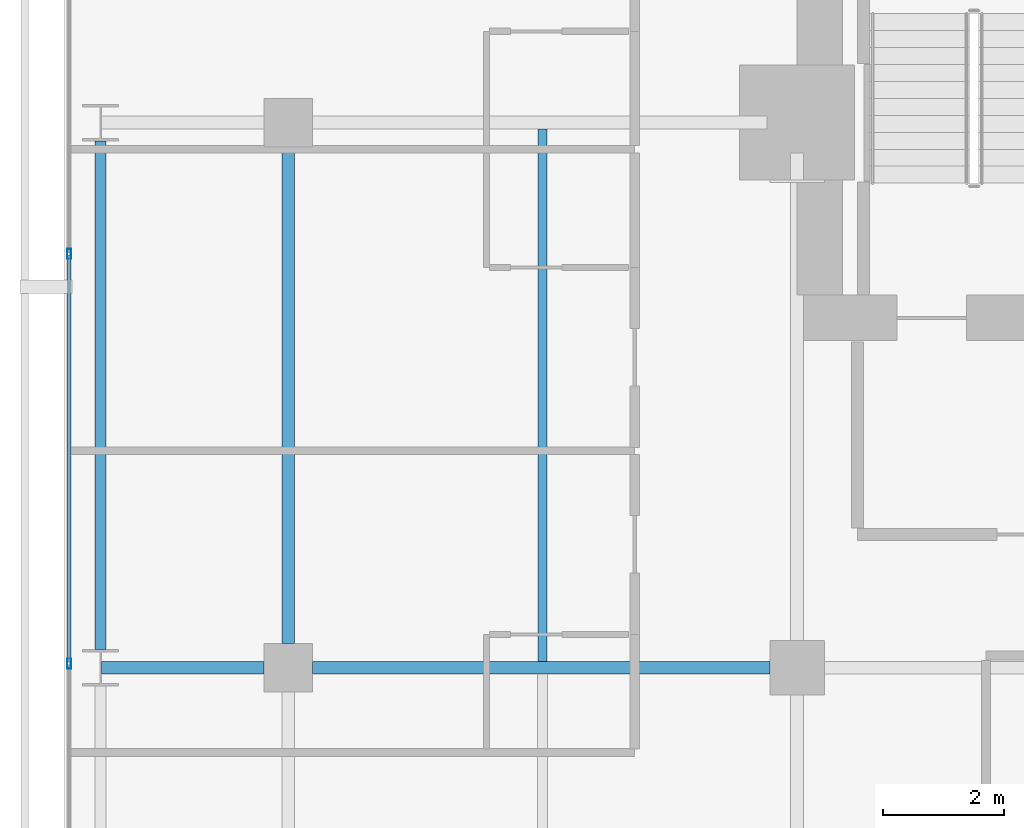
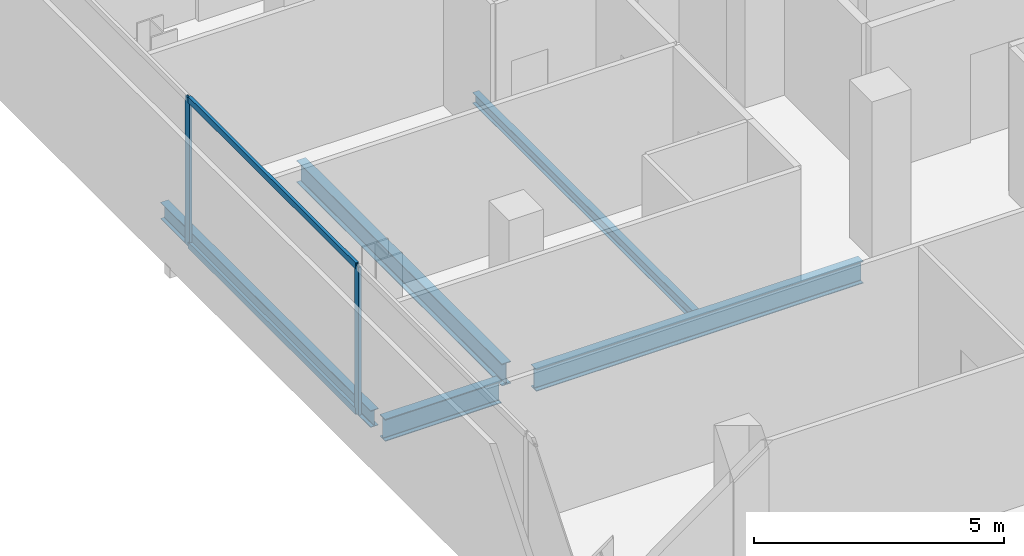
# One storey, part 18 of 34: 5 beams, 4 members, 1 element without a shape of its own.
"""IFC4 building model written with IfcOpenShell, lengths in metres."""

from ifc_helpers import new_model, si_unit, direction, frame, origin, origin_2d, place, context, subcontext, project, spatial, hollow_rectangle, i_section, extrude, material, layer, layer_set, material_profile, profile_set, type_object, element, aggregate, save


model = new_model("IFC4")

# Units and contexts
model_context = context("Model", 3, precision=1e-05, world=origin(), true_north=direction((0.0, 1.0)))
body_context = subcontext(model_context, "Body", "Model", "MODEL_VIEW")
ifc_project = project(units=[si_unit("LENGTHUNIT", "METRE"), si_unit("AREAUNIT", "SQUARE_METRE"), si_unit("VOLUMEUNIT", "CUBIC_METRE"), si_unit("PLANEANGLEUNIT", "RADIAN"), si_unit("MASSUNIT", "GRAM", prefix="KILO")], contexts=[model_context])

# Site, building, storey
site_placement = place(None, origin())
site = spatial("IfcSite", under=ifc_project, at=site_placement, CompositionType="ELEMENT")
building_placement = place(site_placement, origin())
building = spatial("IfcBuilding", under=site, at=building_placement, Name="Maruvema Waterfront Hotel and Observation Tower", CompositionType="ELEMENT")
storey_placement = place(building_placement, frame((0.0, 0.0, 212.10009765625)))
storey = spatial("IfcBuildingStorey", under=building, at=storey_placement, Name="L52", CompositionType="ELEMENT", Elevation=212.10009765625)

# Curtain wall, members
ifc_material_1 = material(Name="Anodised bronze aluminium and solar-control low-E IGU", Category="aluminium")
ifc_layer = layer(ifc_material_1, 0.159912109375, Name="Zone 2 Amber Inner Thermal Curtain Wall System CW-03")
ifc_layer_set = layer_set([ifc_layer], Name="Anodised bronze aluminium and solar-control low-E IGU")
curtain_wall_type = type_object("IfcCurtainWallType", Name="Zone 2 Amber Inner Thermal Curtain Wall System CW-03", PredefinedType="USERDEFINED", material=ifc_layer_set)
curtain_wall_placement = place(storey_placement, origin())
curtain_wall = element("IfcCurtainWall", 1, at=curtain_wall_placement, inside=storey, type_object=curtain_wall_type, Name="L52 Curtain Wall CW-L52-W", ObjectType="UNITISED CURTAIN WALL", PredefinedType="USERDEFINED")
ifc_material_2 = material(Name="Anodised architectural bronze aluminium", Category="aluminium")
ifc_material_profile_1 = material_profile(ifc_material_2, hollow_rectangle(XDim=0.070068359375, YDim=0.14990234375, WallThickness=0.00390625, at=origin_2d()), Name="ALU-T70x150")
ifc_profile_set_1 = profile_set([ifc_material_profile_1], Name="Anodised architectural bronze aluminium")
member_type_1 = type_object("IfcMemberType", Name="Curtain Wall Horizontal Transom ALU-T70x150", PredefinedType="USERDEFINED", material=ifc_profile_set_1)
member_1_placement = place(storey_placement, frame((13.179931640625, 42.80322265625, 0.02978515625), z_axis=(0.0, -1.0, 0.0), x_axis=(1.0, 0.0, 0.0)))
member_1 = element("IfcMember", 2, at=member_1_placement, type_object=member_type_1, Name="CW-03 transom 2.1", ObjectType="TRANSOM", PredefinedType="USERDEFINED", context=body_context, shape_type="SweptSolid", body=[
    extrude(hollow_rectangle(XDim=0.070068359375, YDim=0.14990234375, WallThickness=0.00390625, at=origin_2d()), origin(), (0.0, 0.0, 1.0), 6.70654296875),
])
member_2_placement = place(storey_placement, frame((13.179931640625, 42.80322265625, 3.579833984375), z_axis=(0.0, -1.0, 0.0), x_axis=(1.0, 0.0, 0.0)))
member_2 = element("IfcMember", 3, at=member_2_placement, type_object=member_type_1, Name="CW-03 transom 2.2", ObjectType="TRANSOM", PredefinedType="USERDEFINED", context=body_context, shape_type="SweptSolid", body=[
    extrude(hollow_rectangle(XDim=0.070068359375, YDim=0.14990234375, WallThickness=0.00390625, at=origin_2d()), origin(), (0.0, 0.0, 1.0), 6.70654296875),
])
ifc_material_3 = material(Name="Anodised architectural bronze aluminium", Category="aluminium")
ifc_material_profile_2 = material_profile(ifc_material_3, hollow_rectangle(XDim=0.06494140625, YDim=0.1650390625, WallThickness=0.00390625, at=origin_2d()), Name="ALU-M65x165")
ifc_profile_set_2 = profile_set([ifc_material_profile_2], Name="Anodised architectural bronze aluminium")
member_type_2 = type_object("IfcMemberType", Name="Curtain Wall Primary Mullion ALU-M65x165", PredefinedType="MULLION", material=ifc_profile_set_2)
member_3_placement = place(storey_placement, frame((13.179931640625, 42.833251953125, 0.0), z_axis=(0.0, 0.0, 1.0), x_axis=(1.0, 0.0, 0.0)))
member_3 = element("IfcMember", 4, at=member_3_placement, type_object=member_type_2, Name="CW-03 mullion 2", PredefinedType="MULLION", context=body_context, shape_type="SweptSolid", body=[
    extrude(hollow_rectangle(XDim=0.06494140625, YDim=0.1650390625, WallThickness=0.00390625, at=origin_2d()), origin(), (0.0, 0.0, 1.0), 3.60986328125),
])
member_4_placement = place(storey_placement, frame((13.179931640625, 36.066650390625, 0.0), z_axis=(0.0, 0.0, 1.0), x_axis=(1.0, 0.0, 0.0)))
member_4 = element("IfcMember", 5, at=member_4_placement, type_object=member_type_2, Name="CW-03 mullion 3", PredefinedType="MULLION", context=body_context, shape_type="SweptSolid", body=[
    extrude(hollow_rectangle(XDim=0.06494140625, YDim=0.1650390625, WallThickness=0.00390625, at=origin_2d()), origin(), (0.0, 0.0, 1.0), 3.60986328125),
])
aggregate(curtain_wall, [member_3, member_4, member_1, member_2])

# Beams
ifc_material_4 = material(Name="Steel ASTM A572 Grade 50", Category="steel")
ifc_material_profile_3 = material_profile(ifc_material_4, i_section(OverallWidth=0.178955078125, OverallDepth=0.409912109375, WebThickness=0.0087890625, FlangeThickness=0.014404296875, FilletRadius=0.014892578125, at=origin_2d()), Name="W410x67.0")
ifc_profile_set_3 = profile_set([ifc_material_profile_3], Name="Steel ASTM A572 Grade 50")
beam_type_1 = type_object("IfcBeamType", Name="Perimeter Spandrel Beam W410x67.0", PredefinedType="SPANDREL", material=ifc_profile_set_3)
beam_1_placement = place(storey_placement, frame((13.699951171875, 36.300048828125, -0.445068359375), z_axis=(0.0, 1.0, 0.0), x_axis=(-1.0, 0.0, 0.0)))
element("IfcBeam", 6, at=beam_1_placement, inside=storey, type_object=beam_type_1, Name="L52 Floor Girder NS-04", PredefinedType="SPANDREL", context=body_context, shape_type="SweptSolid", body=[
    extrude(i_section(OverallWidth=0.178955078125, OverallDepth=0.409912109375, WebThickness=0.0087890625, FlangeThickness=0.014404296875, FilletRadius=0.014892578125, at=origin_2d()), origin(), (0.0, 0.0, 1.0), 8.39990234375),
])
ifc_material_5 = material(Name="Steel ASTM A572 Grade 50", Category="steel")
ifc_material_profile_4 = material_profile(ifc_material_5, i_section(OverallWidth=0.2109375, OverallDepth=0.5390625, WebThickness=0.01171875, FlangeThickness=0.018798828125, FilletRadius=0.014892578125, at=origin_2d()), Name="W530x109.0")
ifc_profile_set_4 = profile_set([ifc_material_profile_4], Name="Steel ASTM A572 Grade 50")
beam_type_2 = type_object("IfcBeamType", Name="Primary Floor Girder W530x109.0", PredefinedType="BEAM", material=ifc_profile_set_4)
beam_2_placement = place(storey_placement, frame((13.71240234375, 36.0, -0.509521484375), z_axis=(1.0, 0.0, 0.0), x_axis=(0.0, 1.0, 0.0)))
element("IfcBeam", 7, at=beam_2_placement, inside=storey, type_object=beam_type_2, Name="L52 Floor Girder EW-23", PredefinedType="BEAM", context=body_context, shape_type="SweptSolid", body=[
    extrude(i_section(OverallWidth=0.2109375, OverallDepth=0.5390625, WebThickness=0.01171875, FlangeThickness=0.018798828125, FilletRadius=0.014892578125, at=origin_2d()), origin(), (0.0, 0.0, 1.0), 2.6875),
])
beam_3_placement = place(storey_placement, frame((17.199951171875, 36.0, -0.509521484375), z_axis=(1.0, 0.0, 0.0), x_axis=(0.0, 1.0, 0.0)))
element("IfcBeam", 8, at=beam_3_placement, inside=storey, type_object=beam_type_2, Name="L52 Floor Girder EW-24", PredefinedType="BEAM", context=body_context, shape_type="SweptSolid", body=[
    extrude(i_section(OverallWidth=0.2109375, OverallDepth=0.5390625, WebThickness=0.01171875, FlangeThickness=0.018798828125, FilletRadius=0.014892578125, at=origin_2d()), origin(), (0.0, 0.0, 1.0), 7.550048828125),
])
beam_4_placement = place(storey_placement, frame((16.800048828125, 36.39990234375, -0.509521484375), z_axis=(0.0, 1.0, 0.0), x_axis=(-1.0, 0.0, 0.0)))
element("IfcBeam", 9, at=beam_4_placement, inside=storey, type_object=beam_type_2, Name="L52 Floor Girder NS-08", PredefinedType="BEAM", context=body_context, shape_type="SweptSolid", body=[
    extrude(i_section(OverallWidth=0.2109375, OverallDepth=0.5390625, WebThickness=0.01171875, FlangeThickness=0.018798828125, FilletRadius=0.014892578125, at=origin_2d()), origin(), (0.0, 0.0, 1.0), 8.2001953125),
])
ifc_material_6 = material(Name="Steel ASTM A572 Grade 50", Category="steel")
ifc_material_profile_5 = material_profile(ifc_material_6, i_section(OverallWidth=0.14794921875, OverallDepth=0.26611328125, WebThickness=0.007568359375, FlangeThickness=0.012939453125, FilletRadius=0.012939453125, at=origin_2d()), Name="W250x44.8")
ifc_profile_set_5 = profile_set([ifc_material_profile_5], Name="Steel ASTM A572 Grade 50")
beam_type_3 = type_object("IfcBeamType", Name="Secondary Floor Joist W250x44.8", PredefinedType="JOIST", material=ifc_profile_set_5)
beam_5_placement = place(storey_placement, frame((21.0, 36.10546875, -0.373046875), z_axis=(0.0, 1.0, 0.0), x_axis=(-1.0, 0.0, 0.0)))
element("IfcBeam", 10, at=beam_5_placement, inside=storey, type_object=beam_type_3, Name="L52 Secondary Floor Joist JS-04", PredefinedType="JOIST", context=body_context, shape_type="SweptSolid", body=[
    extrude(i_section(OverallWidth=0.14794921875, OverallDepth=0.26611328125, WebThickness=0.007568359375, FlangeThickness=0.012939453125, FilletRadius=0.012939453125, at=origin_2d()), origin(), (0.0, 0.0, 1.0), 8.7890625),
])

save(model, "model.ifc")
